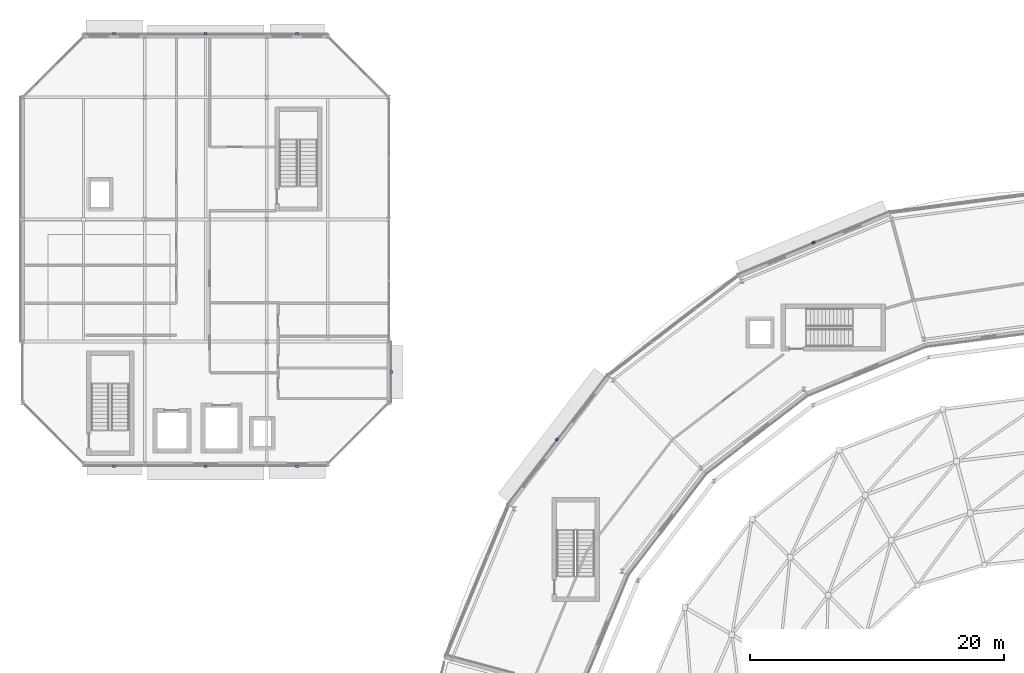
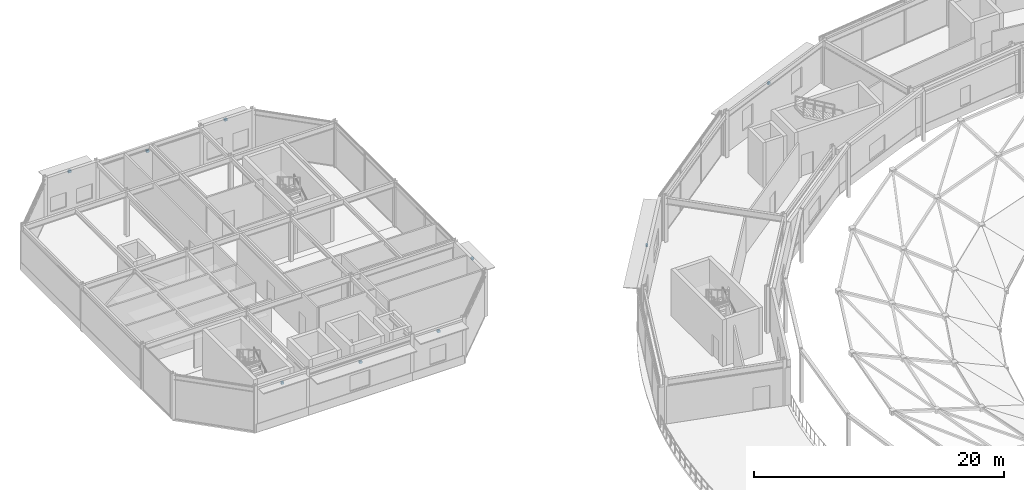
# One storey, part 73 of 89: 9 discrete accessories.
"""IFC4 building model written with IfcOpenShell, lengths in metres."""

import ifcopenshell
import ifcopenshell.guid

model = None  # the IFC model being written
_history = None  # IfcOwnerHistory: only IFC2X3 demands one
_inside = {}  # id of a spatial element -> (the spatial element, [elements in it])
_under = {}  # id of a project, library or spatial element -> (it, [spatial elements below it])
_declared = {}  # id of a project -> (the project, [libraries it declares])
_typed = {}  # id of a type object -> (the type object, [elements of that type])
_made_of = {}  # id of a material, layer set ... -> (it, [elements and type objects made of it])


def new_model(schema):
    """Start an empty IFC model of exactly this schema.

    Asked for "IFC4X3", IfcOpenShell would pick the latest addendum, in which some entities
    have other attributes; the version numbers below select the first issue.
    IFC2X3 requires an IfcOwnerHistory on every rooted entity: one is made here for all.
    """
    global model, _history
    if schema == "IFC4X3":
        model = ifcopenshell.file(schema_version=(4, 3, 0, 0))
    else:
        model = ifcopenshell.file(schema=schema)
    _inside.clear()
    _under.clear()
    _declared.clear()
    _typed.clear()
    _made_of.clear()
    _history = None
    if model.schema == "IFC2X3":
        org = make("IfcOrganization", Name="unknown")
        user = make(
            "IfcPersonAndOrganization",
            ThePerson=make("IfcPerson", FamilyName="unknown"),
            TheOrganization=org,
        )
        app = make(
            "IfcApplication",
            ApplicationDeveloper=org,
            Version="unknown",
            ApplicationFullName="unknown",
            ApplicationIdentifier="unknown",
        )
        _history = make(
            "IfcOwnerHistory",
            OwningUser=user,
            OwningApplication=app,
            ChangeAction="ADDED",
            CreationDate=0,
        )
    return model


def make(cls, **values):
    """One entity of the class cls with the attributes given. An attribute that is None is left unset."""
    return model.create_entity(
        cls, **{name: value for name, value in values.items() if value is not None}
    )


def rooted(cls, **values):
    """An entity with a GlobalId (a new one), such as an element, a storey or a relation."""
    return make(cls, GlobalId=ifcopenshell.guid.new(), OwnerHistory=_history, **values)


def si_unit(unit_type, name, prefix=None):
    """IfcSIUnit, for example si_unit("LENGTHUNIT", "METRE", prefix="MILLI")."""
    return make("IfcSIUnit", UnitType=unit_type, Prefix=prefix, Name=name)


def assignment(units):
    """IfcUnitAssignment: the units of a project."""
    return None if units is None else make("IfcUnitAssignment", Units=units)


def point(xyz):
    """IfcCartesianPoint."""
    return None if xyz is None else make("IfcCartesianPoint", Coordinates=xyz)


def direction(xyz):
    """IfcDirection."""
    return None if xyz is None else make("IfcDirection", DirectionRatios=xyz)


def frame(location, z_axis=None, x_axis=None):
    """IfcAxis2Placement3D, a coordinate frame: its origin and axes. An axis left out is left unset."""
    return make(
        "IfcAxis2Placement3D",
        Location=point(location),
        Axis=direction(z_axis),
        RefDirection=direction(x_axis),
    )


def frame_2d(location, x_axis=None):
    """IfcAxis2Placement2D, a coordinate frame in the plane: its origin and x axis."""
    return make(
        "IfcAxis2Placement2D", Location=point(location), RefDirection=direction(x_axis)
    )


def origin():
    """The frame at (0, 0, 0) with its axes left unset."""
    return frame((0.0, 0.0, 0.0))


def origin_2d():
    """The frame at (0, 0) in the plane with its x axis left unset."""
    return frame_2d((0.0, 0.0))


def place(relative_to, where):
    """IfcLocalPlacement: puts the frame where relative to a parent placement (None: the world)."""
    return make(
        "IfcLocalPlacement", PlacementRelTo=relative_to, RelativePlacement=where
    )


def context(
    kind, dimensions, precision=None, world=None, true_north=None, identifier=None
):
    """IfcGeometricRepresentationContext, for example the 3D "Model" context."""
    return make(
        "IfcGeometricRepresentationContext",
        ContextIdentifier=identifier,
        ContextType=kind,
        CoordinateSpaceDimension=dimensions,
        Precision=precision,
        WorldCoordinateSystem=world,
        TrueNorth=true_north,
    )


def subcontext(parent, identifier, kind, view, scale=None):
    """IfcGeometricRepresentationSubContext, for example "Body" below "Model"."""
    return make(
        "IfcGeometricRepresentationSubContext",
        ContextIdentifier=identifier,
        ContextType=kind,
        ParentContext=parent,
        TargetScale=scale,
        TargetView=view,
    )


def project(units=None, contexts=None):
    """IfcProject with its units and contexts."""
    return rooted(
        "IfcProject",
        Name="project",
        RepresentationContexts=contexts,
        UnitsInContext=assignment(units),
    )


def spatial(cls, under=None, at=None, **own):
    """A site, building, storey or space (cls), placed at a placement, below another one or the project."""
    s = rooted(cls, ObjectPlacement=at, **own)
    if under is not None:
        _under.setdefault(under.id(), (under, []))[1].append(s)
    return s


def profile(cls, at=None, kind="AREA", **sizes):
    """A parametric profile (cls). Its sizes go by their IFC names, for example OverallWidth=200.0."""
    return make(cls, ProfileType=kind, Position=at, **sizes)


def rectangle(**sizes):
    """IfcRectangleProfileDef."""
    return profile("IfcRectangleProfileDef", **sizes)


def extrude(swept, where, along, depth):
    """IfcExtrudedAreaSolid: the profile swept, set in the frame where, extruded along a direction by depth."""
    return make(
        "IfcExtrudedAreaSolid",
        SweptArea=swept,
        Position=where,
        ExtrudedDirection=direction(along),
        Depth=depth,
    )


def shape(context_of_items, identifier, shape_type, items):
    """IfcShapeRepresentation: the items that make up one representation, for example the "Body"."""
    return make(
        "IfcShapeRepresentation",
        ContextOfItems=context_of_items,
        RepresentationIdentifier=identifier,
        RepresentationType=shape_type,
        Items=items,
    )


def material(Name=None, Category=None):
    """IfcMaterial."""
    return make("IfcMaterial", Name=Name, Category=Category)


def layer(
    of_material, thickness, ventilated=None, Name=None, Category=None, Priority=None
):
    """IfcMaterialLayer: one layer of a wall or slab, of a material (None: an air gap)."""
    return make(
        "IfcMaterialLayer",
        Material=of_material,
        LayerThickness=thickness,
        IsVentilated=ventilated,
        Name=Name,
        Category=Category,
        Priority=Priority,
    )


def layer_set(layers, Name=None):
    """IfcMaterialLayerSet."""
    return make("IfcMaterialLayerSet", MaterialLayers=layers, LayerSetName=Name)


def made_of(thing, what):
    """Note that an element or type object is made of a material, layer set ...; save() writes the relation."""
    if what is not None:
        _made_of.setdefault(what.id(), (what, []))[1].append(thing)
    return thing


def type_object(cls, material=None, **own):
    """A type object (cls), such as IfcWallType, which elements share."""
    return made_of(rooted(cls, **own), material)


def element(
    cls,
    number,
    at=None,
    inside=None,
    cuts=None,
    type_object=None,
    material=None,
    context=None,
    identifier="Body",
    shape_type=None,
    held_by="IfcProductDefinitionShape",
    body=None,
    shapes=None,
    **own,
):
    """One element of the class cls, such as IfcWall. Its Tag is "e" and its number.

    at: its placement. inside: the storey or other place that contains it. cuts: it is an
    opening in that element (IfcRelVoidsElement). A single representation is given by context,
    identifier, shape_type and body (its items); several are given by shapes. held_by: the class
    of the entity that holds the representations. save() writes the other relations.
    """
    e = rooted(cls, Tag="e%d" % number, ObjectPlacement=at, **own)
    if body is not None:
        shapes = [shape(context, identifier, shape_type, body)]
    if shapes is not None:
        e.Representation = make(held_by, Representations=shapes)
    if inside is not None:
        _inside.setdefault(inside.id(), (inside, []))[1].append(e)
    if cuts is not None:
        rooted(
            "IfcRelVoidsElement", RelatingBuildingElement=cuts, RelatedOpeningElement=e
        )
    if type_object is not None:
        _typed.setdefault(type_object.id(), (type_object, []))[1].append(e)
    return made_of(e, material)


def aggregate(whole, parts):
    """IfcRelAggregates: a whole, such as a stair, and the parts it consists of."""
    return rooted("IfcRelAggregates", RelatingObject=whole, RelatedObjects=parts)


def save(model, path):
    """Write the relations noted so far, then the file.

    IfcRelAggregates (storeys below a building ...), IfcRelContainedInSpatialStructure (elements
    in a storey), IfcRelDefinesByType, IfcRelAssociatesMaterial and IfcRelDeclares: one each for
    every whole, place, type object, material and project.
    """
    for whole, parts in _under.values():
        aggregate(whole, parts)
    for where, things in _inside.values():
        rooted(
            "IfcRelContainedInSpatialStructure",
            RelatedElements=things,
            RelatingStructure=where,
        )
    for kind, things in _typed.values():
        rooted("IfcRelDefinesByType", RelatedObjects=things, RelatingType=kind)
    for what, things in _made_of.values():
        rooted("IfcRelAssociatesMaterial", RelatedObjects=things, RelatingMaterial=what)
    for by, libraries in _declared.values():
        rooted("IfcRelDeclares", RelatingContext=by, RelatedDefinitions=libraries)
    model.write(path)


model = new_model("IFC4")

# Units and contexts
model_context = context("Model", 3, precision=1e-05, world=origin(), true_north=direction((0.0, 1.0)))
body_context = subcontext(model_context, "Body", "Model", "MODEL_VIEW")
ifc_project = project(units=[si_unit("LENGTHUNIT", "METRE"), si_unit("AREAUNIT", "SQUARE_METRE"), si_unit("VOLUMEUNIT", "CUBIC_METRE"), si_unit("PLANEANGLEUNIT", "RADIAN"), si_unit("MASSUNIT", "GRAM", prefix="KILO")], contexts=[model_context])

# Site, building, storey
site_placement = place(None, origin())
site = spatial("IfcSite", under=ifc_project, at=site_placement, CompositionType="ELEMENT")
building_placement = place(site_placement, origin())
building = spatial("IfcBuilding", under=site, at=building_placement, Name="Almandine Court Research Institute", CompositionType="ELEMENT")
storey_placement = place(building_placement, frame((0.0, 0.0, 18.89990234375)))
storey = spatial("IfcBuildingStorey", under=building, at=storey_placement, Name="L04", CompositionType="ELEMENT", Elevation=18.89990234375)

# Discrete accessories
ifc_material = material(Name="Galvanised Steel Facade Outrigger Bracket", Category="steel")
ifc_layer = layer(ifc_material, 0.219970703125)
ifc_layer_set = layer_set([ifc_layer], Name="Galvanised Steel Facade Outrigger Bracket")
discrete_accessory_type = type_object("IfcDiscreteAccessoryType", Name="Acc-CHJ-BRACKET", PredefinedType="BRACKET", material=ifc_layer_set)
for number, where, z_axis, x_axis, name in (
    (1, (13.199951171875, 117.804931640625, 3.93994140625), (0.0, 0.0, 1.0), (1.0, 0.0, 0.0), "L04 Chhajja Outrigger Bracket 44"),
    (2, (20.39990234375, 117.804931640625, 3.4072265625), (0.0, 0.0, 1.0), (1.0, 0.0, 0.0), "L04 Chhajja Outrigger Bracket 45"),
    (3, (27.60009765625, 117.804931640625, 3.93994140625), (0.0, 0.0, 1.0), (1.0, 0.0, 0.0), "L04 Chhajja Outrigger Bracket 46"),
    (4, (35.0048828125, 91.199951171875, 3.93994140625), (0.0, 0.0, 1.0), (0.0, -1.0, 0.0), "L04 Chhajja Outrigger Bracket 47"),
    (5, (27.60009765625, 83.794921875, 3.93994140625), (0.0, 0.0, 1.0), (-1.0, 0.0, 0.0), "L04 Chhajja Outrigger Bracket 48"),
    (6, (20.39990234375, 83.794921875, 3.4541015625), (0.0, 0.0, 1.0), (-1.0, 0.0, 0.0), "L04 Chhajja Outrigger Bracket 49"),
    (7, (13.199951171875, 83.794921875, 3.93994140625), (0.0, 0.0, 1.0), (-1.0, 0.0, 0.0), "L04 Chhajja Outrigger Bracket 50"),
    (8, (68.200927734375, 101.384033203125, 3.2421875), (0.0, 0.0, 1.0), (0.923879532511, 0.382683432365, 0.0), "L04 Chhajja Outrigger Bracket 188"),
    (9, (48.028076171875, 85.904052734375, 3.8798828125), (0.0, 0.0, 1.0), (0.608761429009, 0.793353340291, 0.0), "L04 Chhajja Outrigger Bracket 189"),
):
    element("IfcDiscreteAccessory", number, at=place(storey_placement, frame(where, z_axis=z_axis, x_axis=x_axis)), inside=storey, type_object=discrete_accessory_type, Name=name, PredefinedType="BRACKET", context=body_context, shape_type="SweptSolid", body=[
        extrude(rectangle(XDim=0.239990234375, YDim=0.179931640625, at=origin_2d()), origin(), (0.0, 0.0, 1.0), 0.219970703125),
    ])

save(model, "model.ifc")
